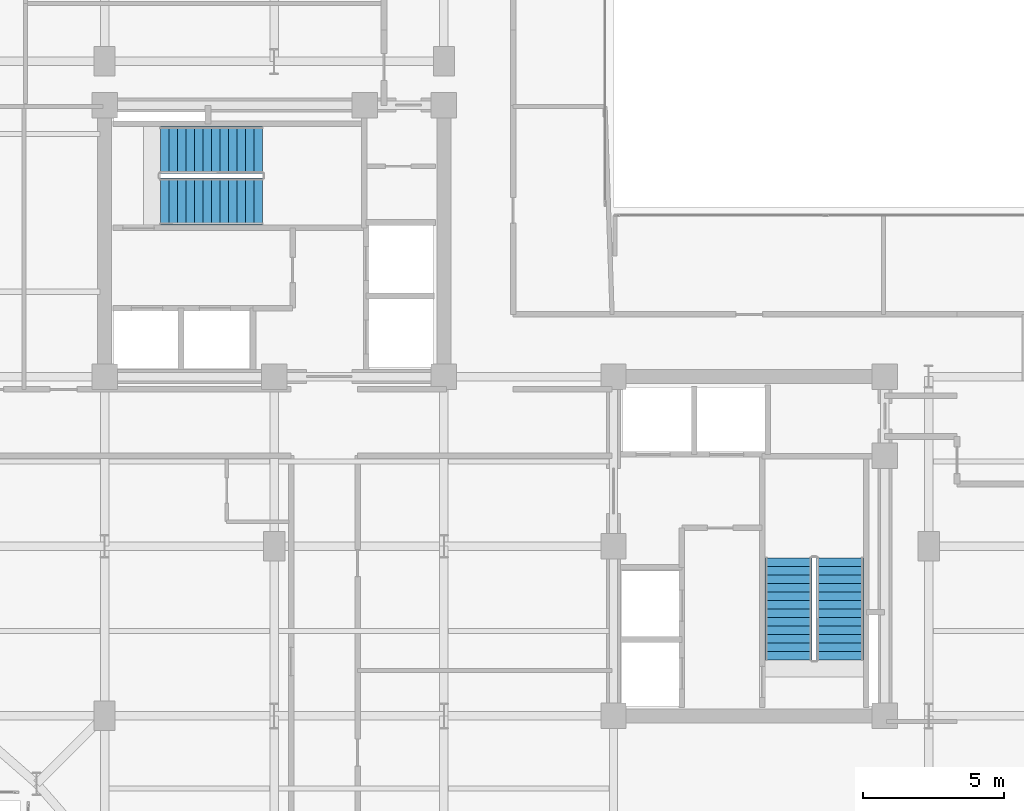
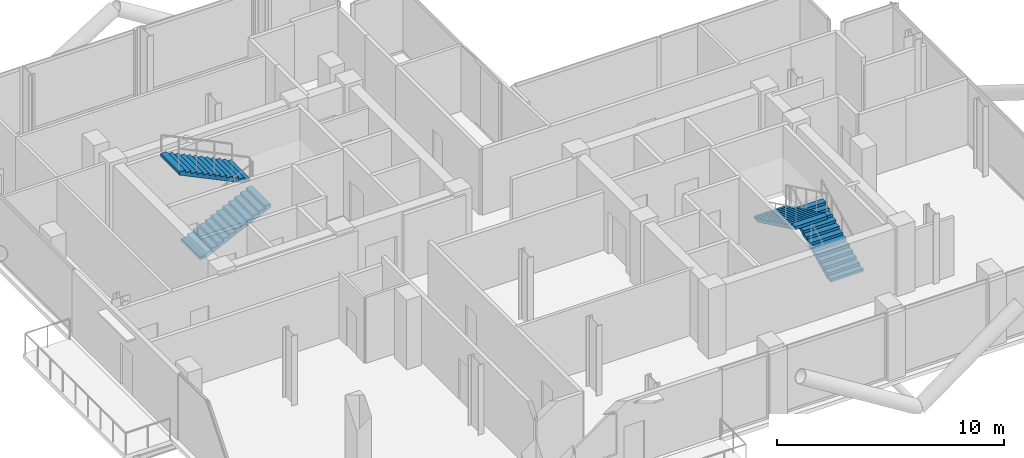
# One storey, part 19 of 21: 4 stair flights, 2 elements without a shape of their own.
"""IFC4 building model written with IfcOpenShell, lengths in metres."""

from ifc_helpers import new_model, si_unit, direction, frame, origin, place, context, subcontext, project, spatial, polyline, outline, extrude, material, type_object, element, aggregate, save


model = new_model("IFC4")

# Units and contexts
model_context = context("Model", 3, precision=1e-05, world=origin(), true_north=direction((0.0, 1.0)))
body_context = subcontext(model_context, "Body", "Model", "MODEL_VIEW")
ifc_project = project(units=[si_unit("LENGTHUNIT", "METRE"), si_unit("AREAUNIT", "SQUARE_METRE"), si_unit("VOLUMEUNIT", "CUBIC_METRE"), si_unit("PLANEANGLEUNIT", "RADIAN"), si_unit("MASSUNIT", "GRAM", prefix="KILO"), si_unit("THERMODYNAMICTEMPERATUREUNIT", "KELVIN"), si_unit("POWERUNIT", "WATT")], contexts=[model_context])

# Site, building, storey
site_placement = place(None, origin())
site = spatial("IfcSite", under=ifc_project, at=site_placement, CompositionType="ELEMENT")
building_placement = place(site_placement, origin())
building = spatial("IfcBuilding", under=site, at=building_placement, Name="Svarakhadi Broadcast Tower", CompositionType="ELEMENT")
storey_placement = place(building_placement, frame((0.0, 0.0, 219.89990234375)))
storey = spatial("IfcBuildingStorey", under=building, at=storey_placement, Name="L54", CompositionType="ELEMENT", Elevation=219.89990234375)

# Stair, stair flights
ifc_material = material(Name="Concrete C40/50 (IS 456 M50)", Category="concrete")
stair_type = type_object("IfcStairType", Name="Stair_Exit_Core", PredefinedType="HALF_TURN_STAIR", material=ifc_material)
stair_1_placement = place(storey_placement, origin())
stair_1 = element("IfcStair", 1, at=stair_1_placement, inside=storey, type_object=stair_type, Name="L54 West Core Protected Exit Stair ST-01", PredefinedType="HALF_TURN_STAIR")
stair_flight_type = type_object("IfcStairFlightType", Name="Flight_RC_1680", PredefinedType="STRAIGHT", material=ifc_material)
stair_flight_1_placement = place(storey_placement, frame((7.97998046875, 24.18994140625, 0.0), z_axis=(0.0, 0.0, 1.0), x_axis=(1.0, 0.0, 0.0)))
stair_flight_1 = element("IfcStairFlight", 2, at=stair_flight_1_placement, type_object=stair_flight_type, Name="ST-01 flight 1", NumberOfRisers=13, NumberOfTreads=12, PredefinedType="STRAIGHT", RiserHeight=0.144230769, TreadLength=0.3, context=body_context, shape_type="SweptSolid", body=[
    extrude(outline(polyline([(0.0, 0.0), (0.0, 0.144287109375), (0.300048828125, 0.144287109375), (0.300048828125, 0.28857421875), (0.60009765625, 0.28857421875), (0.60009765625, 0.4326171875), (0.89990234375, 0.4326171875), (0.89990234375, 0.576904296875), (1.199951171875, 0.576904296875), (1.199951171875, 0.72119140625), (1.5, 0.72119140625), (1.5, 0.865478515625), (1.800048828125, 0.865478515625), (1.800048828125, 1.009521484375), (2.10009765625, 1.009521484375), (2.10009765625, 1.15380859375), (2.39990234375, 1.15380859375), (2.39990234375, 1.298095703125), (2.699951171875, 1.298095703125), (2.699951171875, 1.4423828125), (3.0, 1.4423828125), (3.0, 1.58642578125), (3.300048828125, 1.58642578125), (3.300048828125, 1.730712890625), (3.60009765625, 1.730712890625), (3.60009765625, 1.875), (3.60009765625, 1.564453125), (0.345947265625, 0.0), (0.0, 0.0)])), frame((0.0, 0.830078125, 0.0), z_axis=(0.0, -1.0, 0.0), x_axis=(1.0, 0.0, 0.0)), (0.0, 0.0, 1.0), 1.659912109375),
])
stair_flight_2_placement = place(storey_placement, frame((11.580078125, 26.010009765625, 1.875), z_axis=(0.0, 0.0, 1.0), x_axis=(-1.0, 0.0, 0.0)))
stair_flight_2 = element("IfcStairFlight", 3, at=stair_flight_2_placement, type_object=stair_flight_type, Name="ST-01 flight 2", NumberOfRisers=13, NumberOfTreads=12, PredefinedType="STRAIGHT", RiserHeight=0.144230769, TreadLength=0.3, context=body_context, shape_type="SweptSolid", body=[
    extrude(outline(polyline([(0.0, 0.0), (0.0, 0.144287109375), (0.300048828125, 0.144287109375), (0.300048828125, 0.28857421875), (0.60009765625, 0.28857421875), (0.60009765625, 0.4326171875), (0.89990234375, 0.4326171875), (0.89990234375, 0.576904296875), (1.199951171875, 0.576904296875), (1.199951171875, 0.72119140625), (1.5, 0.72119140625), (1.5, 0.865478515625), (1.800048828125, 0.865478515625), (1.800048828125, 1.009521484375), (2.10009765625, 1.009521484375), (2.10009765625, 1.15380859375), (2.39990234375, 1.15380859375), (2.39990234375, 1.298095703125), (2.699951171875, 1.298095703125), (2.699951171875, 1.4423828125), (3.0, 1.4423828125), (3.0, 1.58642578125), (3.300048828125, 1.58642578125), (3.300048828125, 1.730712890625), (3.60009765625, 1.730712890625), (3.60009765625, 1.875), (3.60009765625, 1.564453125), (0.345947265625, 0.0), (0.0, 0.0)])), frame((0.0, 0.830078125, 0.0), z_axis=(0.0, -1.0, 0.0), x_axis=(1.0, 0.0, 0.0)), (0.0, 0.0, 1.0), 1.659912109375),
])
aggregate(stair_1, [stair_flight_1, stair_flight_2])

stair_2_placement = place(storey_placement, origin())
stair_2 = element("IfcStair", 4, at=stair_2_placement, inside=storey, type_object=stair_type, Name="L54 East Core Protected Exit Stair ST-02", PredefinedType="HALF_TURN_STAIR")
stair_flight_3_placement = place(storey_placement, frame((32.010009765625, 7.97998046875, 0.0), z_axis=(0.0, 0.0, 1.0), x_axis=(0.0, 1.0, 0.0)))
stair_flight_3 = element("IfcStairFlight", 5, at=stair_flight_3_placement, type_object=stair_flight_type, Name="ST-02 flight 1", NumberOfRisers=13, NumberOfTreads=12, PredefinedType="STRAIGHT", RiserHeight=0.144230769, TreadLength=0.3, context=body_context, shape_type="SweptSolid", body=[
    extrude(outline(polyline([(0.0, 0.0), (0.0, 0.144287109375), (0.300048828125, 0.144287109375), (0.300048828125, 0.28857421875), (0.60009765625, 0.28857421875), (0.60009765625, 0.4326171875), (0.89990234375, 0.4326171875), (0.89990234375, 0.576904296875), (1.199951171875, 0.576904296875), (1.199951171875, 0.72119140625), (1.5, 0.72119140625), (1.5, 0.865478515625), (1.800048828125, 0.865478515625), (1.800048828125, 1.009521484375), (2.10009765625, 1.009521484375), (2.10009765625, 1.15380859375), (2.39990234375, 1.15380859375), (2.39990234375, 1.298095703125), (2.699951171875, 1.298095703125), (2.699951171875, 1.4423828125), (3.0, 1.4423828125), (3.0, 1.58642578125), (3.300048828125, 1.58642578125), (3.300048828125, 1.730712890625), (3.60009765625, 1.730712890625), (3.60009765625, 1.875), (3.60009765625, 1.564453125), (0.345947265625, 0.0), (0.0, 0.0)])), frame((0.0, 0.830078125, 0.0), z_axis=(0.0, -1.0, 0.0), x_axis=(1.0, 0.0, 0.0)), (0.0, 0.0, 1.0), 1.659912109375),
])
stair_flight_4_placement = place(storey_placement, frame((30.18994140625, 11.580078125, 1.875), z_axis=(0.0, 0.0, 1.0), x_axis=(0.0, -1.0, 0.0)))
stair_flight_4 = element("IfcStairFlight", 6, at=stair_flight_4_placement, type_object=stair_flight_type, Name="ST-02 flight 2", NumberOfRisers=13, NumberOfTreads=12, PredefinedType="STRAIGHT", RiserHeight=0.144230769, TreadLength=0.3, context=body_context, shape_type="SweptSolid", body=[
    extrude(outline(polyline([(0.0, 0.0), (0.0, 0.144287109375), (0.300048828125, 0.144287109375), (0.300048828125, 0.28857421875), (0.60009765625, 0.28857421875), (0.60009765625, 0.4326171875), (0.89990234375, 0.4326171875), (0.89990234375, 0.576904296875), (1.199951171875, 0.576904296875), (1.199951171875, 0.72119140625), (1.5, 0.72119140625), (1.5, 0.865478515625), (1.800048828125, 0.865478515625), (1.800048828125, 1.009521484375), (2.10009765625, 1.009521484375), (2.10009765625, 1.15380859375), (2.39990234375, 1.15380859375), (2.39990234375, 1.298095703125), (2.699951171875, 1.298095703125), (2.699951171875, 1.4423828125), (3.0, 1.4423828125), (3.0, 1.58642578125), (3.300048828125, 1.58642578125), (3.300048828125, 1.730712890625), (3.60009765625, 1.730712890625), (3.60009765625, 1.875), (3.60009765625, 1.564453125), (0.345947265625, 0.0), (0.0, 0.0)])), frame((0.0, 0.830078125, 0.0), z_axis=(0.0, -1.0, 0.0), x_axis=(1.0, 0.0, 0.0)), (0.0, 0.0, 1.0), 1.659912109375),
])
aggregate(stair_2, [stair_flight_3, stair_flight_4])

save(model, "model.ifc")
